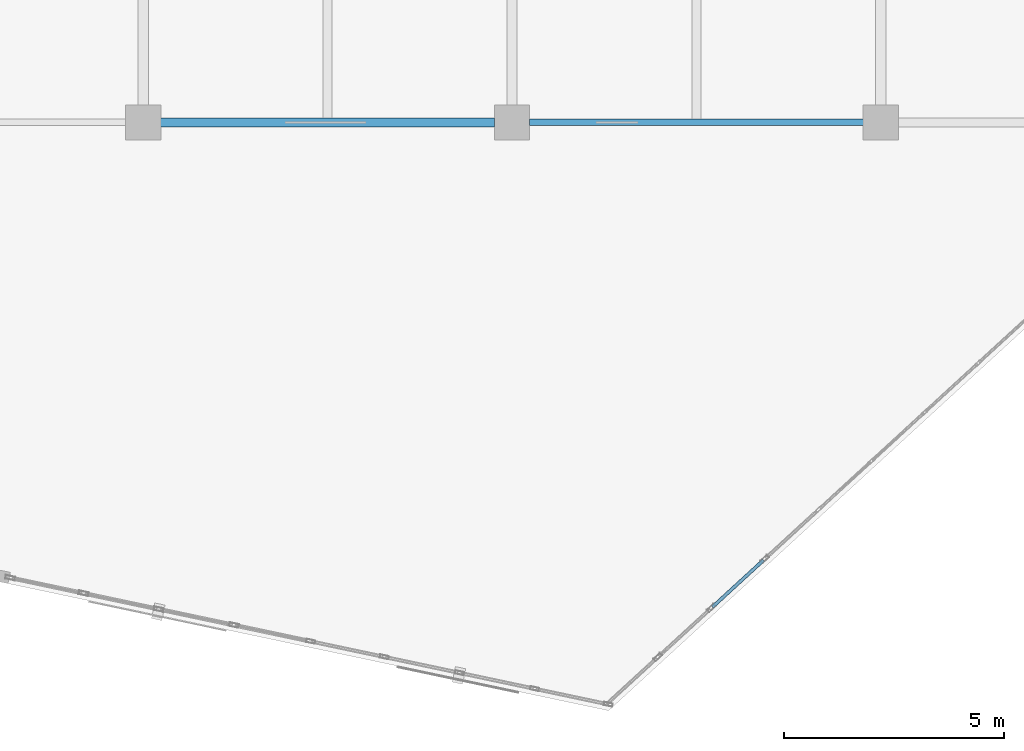
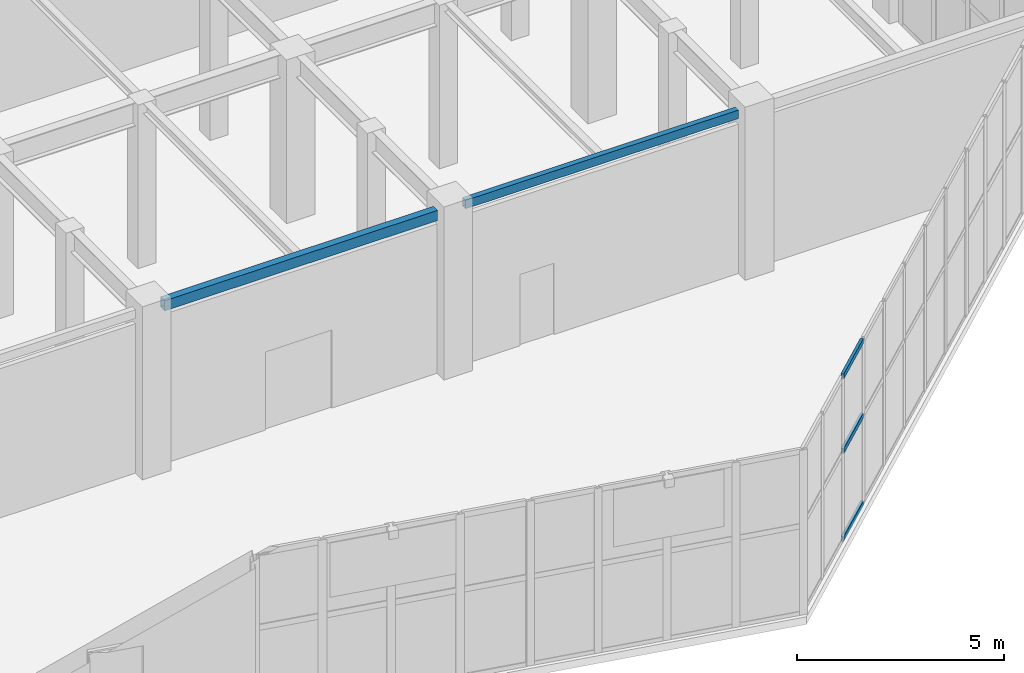
# One storey, part 35 of 128: 3 members, 2 beams, 1 element without a shape of its own.
"""IFC4 building model written with IfcOpenShell, lengths in metres."""

import ifcopenshell
import ifcopenshell.guid

model = None  # the IFC model being written
_history = None  # IfcOwnerHistory: only IFC2X3 demands one
_inside = {}  # id of a spatial element -> (the spatial element, [elements in it])
_under = {}  # id of a project, library or spatial element -> (it, [spatial elements below it])
_declared = {}  # id of a project -> (the project, [libraries it declares])
_typed = {}  # id of a type object -> (the type object, [elements of that type])
_made_of = {}  # id of a material, layer set ... -> (it, [elements and type objects made of it])


def new_model(schema):
    """Start an empty IFC model of exactly this schema.

    Asked for "IFC4X3", IfcOpenShell would pick the latest addendum, in which some entities
    have other attributes; the version numbers below select the first issue.
    IFC2X3 requires an IfcOwnerHistory on every rooted entity: one is made here for all.
    """
    global model, _history
    if schema == "IFC4X3":
        model = ifcopenshell.file(schema_version=(4, 3, 0, 0))
    else:
        model = ifcopenshell.file(schema=schema)
    _inside.clear()
    _under.clear()
    _declared.clear()
    _typed.clear()
    _made_of.clear()
    _history = None
    if model.schema == "IFC2X3":
        org = make("IfcOrganization", Name="unknown")
        user = make(
            "IfcPersonAndOrganization",
            ThePerson=make("IfcPerson", FamilyName="unknown"),
            TheOrganization=org,
        )
        app = make(
            "IfcApplication",
            ApplicationDeveloper=org,
            Version="unknown",
            ApplicationFullName="unknown",
            ApplicationIdentifier="unknown",
        )
        _history = make(
            "IfcOwnerHistory",
            OwningUser=user,
            OwningApplication=app,
            ChangeAction="ADDED",
            CreationDate=0,
        )
    return model


def make(cls, **values):
    """One entity of the class cls with the attributes given. An attribute that is None is left unset."""
    return model.create_entity(
        cls, **{name: value for name, value in values.items() if value is not None}
    )


def rooted(cls, **values):
    """An entity with a GlobalId (a new one), such as an element, a storey or a relation."""
    return make(cls, GlobalId=ifcopenshell.guid.new(), OwnerHistory=_history, **values)


def si_unit(unit_type, name, prefix=None):
    """IfcSIUnit, for example si_unit("LENGTHUNIT", "METRE", prefix="MILLI")."""
    return make("IfcSIUnit", UnitType=unit_type, Prefix=prefix, Name=name)


def assignment(units):
    """IfcUnitAssignment: the units of a project."""
    return None if units is None else make("IfcUnitAssignment", Units=units)


def point(xyz):
    """IfcCartesianPoint."""
    return None if xyz is None else make("IfcCartesianPoint", Coordinates=xyz)


def direction(xyz):
    """IfcDirection."""
    return None if xyz is None else make("IfcDirection", DirectionRatios=xyz)


def frame(location, z_axis=None, x_axis=None):
    """IfcAxis2Placement3D, a coordinate frame: its origin and axes. An axis left out is left unset."""
    return make(
        "IfcAxis2Placement3D",
        Location=point(location),
        Axis=direction(z_axis),
        RefDirection=direction(x_axis),
    )


def frame_2d(location, x_axis=None):
    """IfcAxis2Placement2D, a coordinate frame in the plane: its origin and x axis."""
    return make(
        "IfcAxis2Placement2D", Location=point(location), RefDirection=direction(x_axis)
    )


def origin():
    """The frame at (0, 0, 0) with its axes left unset."""
    return frame((0.0, 0.0, 0.0))


def origin_2d():
    """The frame at (0, 0) in the plane with its x axis left unset."""
    return frame_2d((0.0, 0.0))


def place(relative_to, where):
    """IfcLocalPlacement: puts the frame where relative to a parent placement (None: the world)."""
    return make(
        "IfcLocalPlacement", PlacementRelTo=relative_to, RelativePlacement=where
    )


def context(
    kind, dimensions, precision=None, world=None, true_north=None, identifier=None
):
    """IfcGeometricRepresentationContext, for example the 3D "Model" context."""
    return make(
        "IfcGeometricRepresentationContext",
        ContextIdentifier=identifier,
        ContextType=kind,
        CoordinateSpaceDimension=dimensions,
        Precision=precision,
        WorldCoordinateSystem=world,
        TrueNorth=true_north,
    )


def subcontext(parent, identifier, kind, view, scale=None):
    """IfcGeometricRepresentationSubContext, for example "Body" below "Model"."""
    return make(
        "IfcGeometricRepresentationSubContext",
        ContextIdentifier=identifier,
        ContextType=kind,
        ParentContext=parent,
        TargetScale=scale,
        TargetView=view,
    )


def project(units=None, contexts=None):
    """IfcProject with its units and contexts."""
    return rooted(
        "IfcProject",
        Name="project",
        RepresentationContexts=contexts,
        UnitsInContext=assignment(units),
    )


def spatial(cls, under=None, at=None, **own):
    """A site, building, storey or space (cls), placed at a placement, below another one or the project."""
    s = rooted(cls, ObjectPlacement=at, **own)
    if under is not None:
        _under.setdefault(under.id(), (under, []))[1].append(s)
    return s


def profile(cls, at=None, kind="AREA", **sizes):
    """A parametric profile (cls). Its sizes go by their IFC names, for example OverallWidth=200.0."""
    return make(cls, ProfileType=kind, Position=at, **sizes)


def hollow_rectangle(**sizes):
    """IfcRectangleHollowProfileDef."""
    return profile("IfcRectangleHollowProfileDef", **sizes)


def extrude(swept, where, along, depth):
    """IfcExtrudedAreaSolid: the profile swept, set in the frame where, extruded along a direction by depth."""
    return make(
        "IfcExtrudedAreaSolid",
        SweptArea=swept,
        Position=where,
        ExtrudedDirection=direction(along),
        Depth=depth,
    )


def shape(context_of_items, identifier, shape_type, items):
    """IfcShapeRepresentation: the items that make up one representation, for example the "Body"."""
    return make(
        "IfcShapeRepresentation",
        ContextOfItems=context_of_items,
        RepresentationIdentifier=identifier,
        RepresentationType=shape_type,
        Items=items,
    )


def material(Name=None, Category=None):
    """IfcMaterial."""
    return make("IfcMaterial", Name=Name, Category=Category)


def layer(
    of_material, thickness, ventilated=None, Name=None, Category=None, Priority=None
):
    """IfcMaterialLayer: one layer of a wall or slab, of a material (None: an air gap)."""
    return make(
        "IfcMaterialLayer",
        Material=of_material,
        LayerThickness=thickness,
        IsVentilated=ventilated,
        Name=Name,
        Category=Category,
        Priority=Priority,
    )


def layer_set(layers, Name=None):
    """IfcMaterialLayerSet."""
    return make("IfcMaterialLayerSet", MaterialLayers=layers, LayerSetName=Name)


def material_profile(
    of_material, cross_section, Name=None, Category=None, Priority=None
):
    """IfcMaterialProfile: a cross section and its material."""
    return make(
        "IfcMaterialProfile",
        Name=Name,
        Material=of_material,
        Profile=cross_section,
        Priority=Priority,
        Category=Category,
    )


def profile_set(profiles, Name=None, composite=None):
    """IfcMaterialProfileSet."""
    return make(
        "IfcMaterialProfileSet",
        Name=Name,
        MaterialProfiles=profiles,
        CompositeProfile=composite,
    )


def made_of(thing, what):
    """Note that an element or type object is made of a material, layer set ...; save() writes the relation."""
    if what is not None:
        _made_of.setdefault(what.id(), (what, []))[1].append(thing)
    return thing


def type_object(cls, material=None, **own):
    """A type object (cls), such as IfcWallType, which elements share."""
    return made_of(rooted(cls, **own), material)


def element(
    cls,
    number,
    at=None,
    inside=None,
    cuts=None,
    type_object=None,
    material=None,
    context=None,
    identifier="Body",
    shape_type=None,
    held_by="IfcProductDefinitionShape",
    body=None,
    shapes=None,
    **own,
):
    """One element of the class cls, such as IfcWall. Its Tag is "e" and its number.

    at: its placement. inside: the storey or other place that contains it. cuts: it is an
    opening in that element (IfcRelVoidsElement). A single representation is given by context,
    identifier, shape_type and body (its items); several are given by shapes. held_by: the class
    of the entity that holds the representations. save() writes the other relations.
    """
    e = rooted(cls, Tag="e%d" % number, ObjectPlacement=at, **own)
    if body is not None:
        shapes = [shape(context, identifier, shape_type, body)]
    if shapes is not None:
        e.Representation = make(held_by, Representations=shapes)
    if inside is not None:
        _inside.setdefault(inside.id(), (inside, []))[1].append(e)
    if cuts is not None:
        rooted(
            "IfcRelVoidsElement", RelatingBuildingElement=cuts, RelatedOpeningElement=e
        )
    if type_object is not None:
        _typed.setdefault(type_object.id(), (type_object, []))[1].append(e)
    return made_of(e, material)


def aggregate(whole, parts):
    """IfcRelAggregates: a whole, such as a stair, and the parts it consists of."""
    return rooted("IfcRelAggregates", RelatingObject=whole, RelatedObjects=parts)


def save(model, path):
    """Write the relations noted so far, then the file.

    IfcRelAggregates (storeys below a building ...), IfcRelContainedInSpatialStructure (elements
    in a storey), IfcRelDefinesByType, IfcRelAssociatesMaterial and IfcRelDeclares: one each for
    every whole, place, type object, material and project.
    """
    for whole, parts in _under.values():
        aggregate(whole, parts)
    for where, things in _inside.values():
        rooted(
            "IfcRelContainedInSpatialStructure",
            RelatedElements=things,
            RelatingStructure=where,
        )
    for kind, things in _typed.values():
        rooted("IfcRelDefinesByType", RelatedObjects=things, RelatingType=kind)
    for what, things in _made_of.values():
        rooted("IfcRelAssociatesMaterial", RelatedObjects=things, RelatingMaterial=what)
    for by, libraries in _declared.values():
        rooted("IfcRelDeclares", RelatingContext=by, RelatedDefinitions=libraries)
    model.write(path)


model = new_model("IFC4")

# Units and contexts
model_context = context("Model", 3, precision=1e-05, world=origin(), true_north=direction((0.0, 1.0)))
body_context = subcontext(model_context, "Body", "Model", "MODEL_VIEW")
ifc_project = project(units=[si_unit("LENGTHUNIT", "METRE"), si_unit("AREAUNIT", "SQUARE_METRE"), si_unit("VOLUMEUNIT", "CUBIC_METRE"), si_unit("PLANEANGLEUNIT", "RADIAN"), si_unit("MASSUNIT", "GRAM", prefix="KILO")], contexts=[model_context])

# Site, building, storey
site_placement = place(None, origin())
site = spatial("IfcSite", under=ifc_project, at=site_placement, CompositionType="ELEMENT")
building_placement = place(site_placement, origin())
building = spatial("IfcBuilding", under=site, at=building_placement, Name="Xicomal Pleat Aquarium", CompositionType="ELEMENT")
storey_placement = place(building_placement, frame((0.0, 0.0, 5.39990234375)))
storey = spatial("IfcBuildingStorey", under=building, at=storey_placement, Name="L02", CompositionType="ELEMENT", Elevation=5.39990234375)

# Beams
ifc_material_1 = material(Name="Structural steel A500 Gr C", Category="steel")
ifc_material_profile_1 = material_profile(ifc_material_1, hollow_rectangle(XDim=0.14990234375, YDim=0.25, WallThickness=0.010009765625, at=origin_2d()), Name="OR 250x150x10")
ifc_profile_set_1 = profile_set([ifc_material_profile_1], Name="Structural steel A500 Gr C")
beam_type_1 = type_object("IfcBeamType", Name="BM-STL-OR250", PredefinedType="SPANDREL", material=ifc_profile_set_1)
beam_1_placement = place(storey_placement, frame((77.794921875, 30.39990234375, 4.695068359375), z_axis=(1.0, 0.0, 0.0), x_axis=(0.0, 1.0, 0.0)))
element("IfcBeam", 1, at=beam_1_placement, inside=storey, type_object=beam_type_1, Name="L02 framing beam FGX-L02-10-11-E", PredefinedType="SPANDREL", context=body_context, shape_type="SweptSolid", body=[
    extrude(hollow_rectangle(XDim=0.14990234375, YDim=0.25, WallThickness=0.010009765625, at=origin_2d()), origin(), (0.0, 0.0, 1.0), 7.610107421875),
])
ifc_material_2 = material(Name="Structural steel A500 Gr C", Category="steel")
ifc_material_profile_2 = material_profile(ifc_material_2, hollow_rectangle(XDim=0.199951171875, YDim=0.300048828125, WallThickness=0.011962890625, at=origin_2d()), Name="OR 300x200x12")
ifc_profile_set_2 = profile_set([ifc_material_profile_2], Name="Structural steel A500 Gr C")
beam_type_2 = type_object("IfcBeamType", Name="BM-STL-OR300", PredefinedType="SPANDREL", material=ifc_profile_set_2)
beam_2_placement = place(storey_placement, frame((69.39501953125, 30.39990234375, 4.670166015625), z_axis=(1.0, 0.0, 0.0), x_axis=(0.0, 1.0, 0.0)))
element("IfcBeam", 2, at=beam_2_placement, inside=storey, type_object=beam_type_2, Name="L02 framing beam FGX-L02-09-10-E", PredefinedType="SPANDREL", context=body_context, shape_type="SweptSolid", body=[
    extrude(hollow_rectangle(XDim=0.199951171875, YDim=0.300048828125, WallThickness=0.011962890625, at=origin_2d()), origin(), (0.0, 0.0, 1.0), 7.60986328125),
])

# Curtain wall, members
ifc_material_3 = material(Name="Bronze anodized aluminium 6063-T6", Category="aluminium")
ifc_layer = layer(ifc_material_3, 0.159912109375)
ifc_layer_set = layer_set([ifc_layer], Name="Bronze anodized aluminium 6063-T6")
curtain_wall_type = type_object("IfcCurtainWallType", Name="CW-SYS-07", PredefinedType="NOTDEFINED", material=ifc_layer_set)
curtain_wall_placement = place(storey_placement, origin())
curtain_wall = element("IfcCurtainWall", 3, at=curtain_wall_placement, inside=storey, type_object=curtain_wall_type, Name="L02 unitised curtain wall CW-L02-121", PredefinedType="NOTDEFINED")
ifc_material_4 = material(Name="Bronze anodized aluminium 6063-T6", Category="aluminium")
ifc_material_profile_3 = material_profile(ifc_material_4, hollow_rectangle(XDim=0.074951171875, YDim=0.14990234375, WallThickness=0.00439453125, at=origin_2d()), Name="ALU TRAN 75x150")
ifc_profile_set_3 = profile_set([ifc_material_profile_3], Name="Bronze anodized aluminium 6063-T6")
member_type = type_object("IfcMemberType", Name="CWT-75x150", PredefinedType="USERDEFINED", material=ifc_profile_set_3)
member_1_placement = place(storey_placement, frame((83.127685546875, 20.427978515625, 0.03759765625), z_axis=(-0.736729791157, -0.676187263132, 0.0), x_axis=(0.676187263132, -0.736729791157, 0.0)))
member_1 = element("IfcMember", 4, at=member_1_placement, type_object=member_type, Name="CW-07 transom 2.1", ObjectType="TRANSOM", PredefinedType="USERDEFINED", context=body_context, shape_type="SweptSolid", body=[
    extrude(hollow_rectangle(XDim=0.074951171875, YDim=0.14990234375, WallThickness=0.00439453125, at=origin_2d()), origin(), (0.0, 0.0, 1.0), 1.57666015625),
])
member_2_placement = place(storey_placement, frame((83.127685546875, 20.427978515625, 2.6240234375), z_axis=(-0.736729791157, -0.676187263132, 0.0), x_axis=(0.676187263132, -0.736729791157, 0.0)))
member_2 = element("IfcMember", 5, at=member_2_placement, type_object=member_type, Name="CW-07 transom 2.2", ObjectType="TRANSOM", PredefinedType="USERDEFINED", context=body_context, shape_type="SweptSolid", body=[
    extrude(hollow_rectangle(XDim=0.074951171875, YDim=0.14990234375, WallThickness=0.00439453125, at=origin_2d()), origin(), (0.0, 0.0, 1.0), 1.57666015625),
])
member_3_placement = place(storey_placement, frame((83.127685546875, 20.427978515625, 4.822509765625), z_axis=(-0.736729791157, -0.676187263132, 0.0), x_axis=(0.676187263132, -0.736729791157, 0.0)))
member_3 = element("IfcMember", 6, at=member_3_placement, type_object=member_type, Name="CW-07 transom 2.3", ObjectType="TRANSOM", PredefinedType="USERDEFINED", context=body_context, shape_type="SweptSolid", body=[
    extrude(hollow_rectangle(XDim=0.074951171875, YDim=0.14990234375, WallThickness=0.00439453125, at=origin_2d()), origin(), (0.0, 0.0, 1.0), 1.57666015625),
])
aggregate(curtain_wall, [member_1, member_2, member_3])

save(model, "model.ifc")
